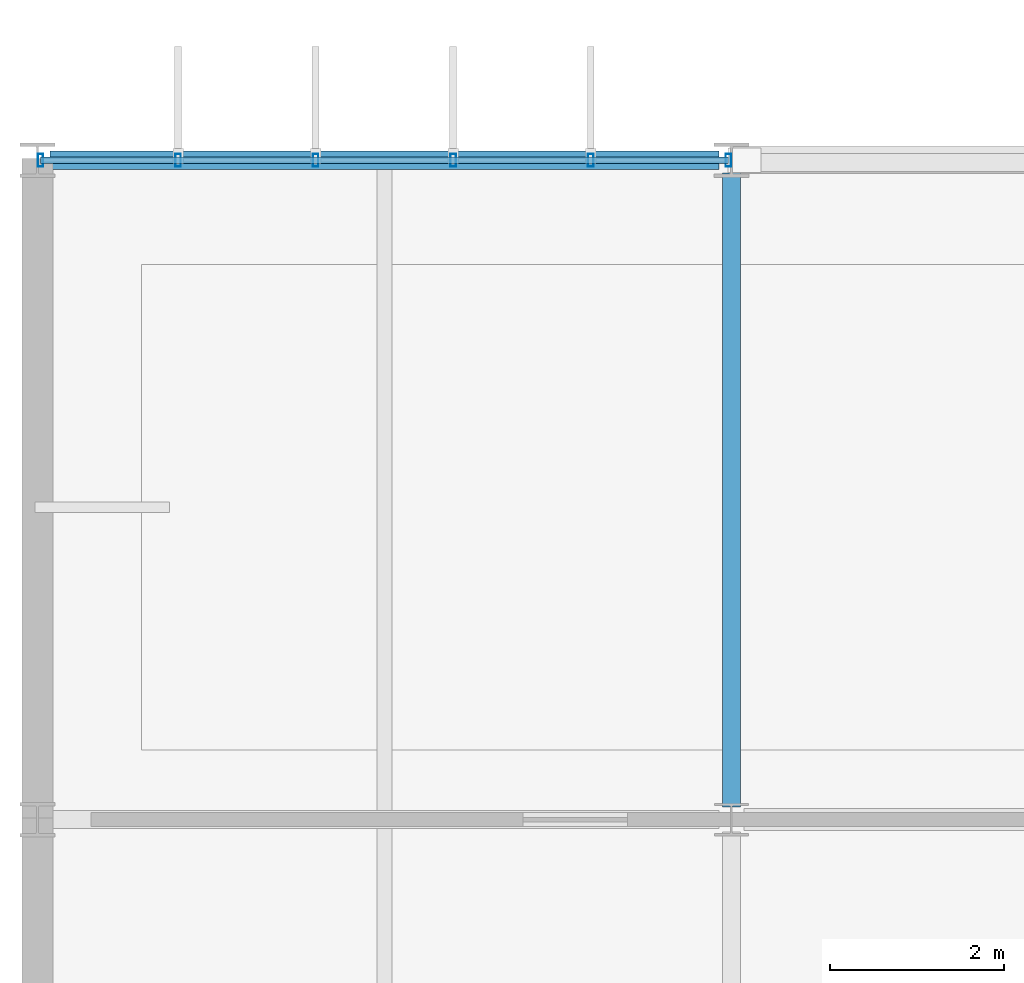
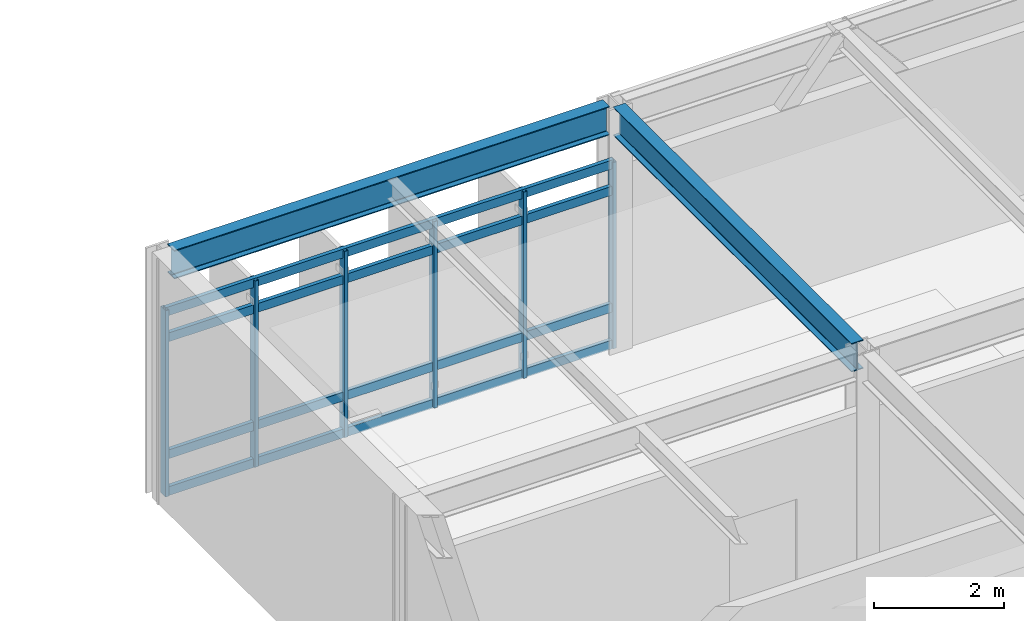
# One storey, part 25 of 104: 10 members, 2 beams, 1 element without a shape of its own.
"""IFC4 building model written with IfcOpenShell, lengths in metres."""

import ifcopenshell
import ifcopenshell.guid

model = None  # the IFC model being written
_history = None  # IfcOwnerHistory: only IFC2X3 demands one
_inside = {}  # id of a spatial element -> (the spatial element, [elements in it])
_under = {}  # id of a project, library or spatial element -> (it, [spatial elements below it])
_declared = {}  # id of a project -> (the project, [libraries it declares])
_typed = {}  # id of a type object -> (the type object, [elements of that type])
_made_of = {}  # id of a material, layer set ... -> (it, [elements and type objects made of it])


def new_model(schema):
    """Start an empty IFC model of exactly this schema.

    Asked for "IFC4X3", IfcOpenShell would pick the latest addendum, in which some entities
    have other attributes; the version numbers below select the first issue.
    IFC2X3 requires an IfcOwnerHistory on every rooted entity: one is made here for all.
    """
    global model, _history
    if schema == "IFC4X3":
        model = ifcopenshell.file(schema_version=(4, 3, 0, 0))
    else:
        model = ifcopenshell.file(schema=schema)
    _inside.clear()
    _under.clear()
    _declared.clear()
    _typed.clear()
    _made_of.clear()
    _history = None
    if model.schema == "IFC2X3":
        org = make("IfcOrganization", Name="unknown")
        user = make(
            "IfcPersonAndOrganization",
            ThePerson=make("IfcPerson", FamilyName="unknown"),
            TheOrganization=org,
        )
        app = make(
            "IfcApplication",
            ApplicationDeveloper=org,
            Version="unknown",
            ApplicationFullName="unknown",
            ApplicationIdentifier="unknown",
        )
        _history = make(
            "IfcOwnerHistory",
            OwningUser=user,
            OwningApplication=app,
            ChangeAction="ADDED",
            CreationDate=0,
        )
    return model


def make(cls, **values):
    """One entity of the class cls with the attributes given. An attribute that is None is left unset."""
    return model.create_entity(
        cls, **{name: value for name, value in values.items() if value is not None}
    )


def rooted(cls, **values):
    """An entity with a GlobalId (a new one), such as an element, a storey or a relation."""
    return make(cls, GlobalId=ifcopenshell.guid.new(), OwnerHistory=_history, **values)


def si_unit(unit_type, name, prefix=None):
    """IfcSIUnit, for example si_unit("LENGTHUNIT", "METRE", prefix="MILLI")."""
    return make("IfcSIUnit", UnitType=unit_type, Prefix=prefix, Name=name)


def assignment(units):
    """IfcUnitAssignment: the units of a project."""
    return None if units is None else make("IfcUnitAssignment", Units=units)


def point(xyz):
    """IfcCartesianPoint."""
    return None if xyz is None else make("IfcCartesianPoint", Coordinates=xyz)


def direction(xyz):
    """IfcDirection."""
    return None if xyz is None else make("IfcDirection", DirectionRatios=xyz)


def frame(location, z_axis=None, x_axis=None):
    """IfcAxis2Placement3D, a coordinate frame: its origin and axes. An axis left out is left unset."""
    return make(
        "IfcAxis2Placement3D",
        Location=point(location),
        Axis=direction(z_axis),
        RefDirection=direction(x_axis),
    )


def frame_2d(location, x_axis=None):
    """IfcAxis2Placement2D, a coordinate frame in the plane: its origin and x axis."""
    return make(
        "IfcAxis2Placement2D", Location=point(location), RefDirection=direction(x_axis)
    )


def origin():
    """The frame at (0, 0, 0) with its axes left unset."""
    return frame((0.0, 0.0, 0.0))


def origin_2d():
    """The frame at (0, 0) in the plane with its x axis left unset."""
    return frame_2d((0.0, 0.0))


def place(relative_to, where):
    """IfcLocalPlacement: puts the frame where relative to a parent placement (None: the world)."""
    return make(
        "IfcLocalPlacement", PlacementRelTo=relative_to, RelativePlacement=where
    )


def context(
    kind, dimensions, precision=None, world=None, true_north=None, identifier=None
):
    """IfcGeometricRepresentationContext, for example the 3D "Model" context."""
    return make(
        "IfcGeometricRepresentationContext",
        ContextIdentifier=identifier,
        ContextType=kind,
        CoordinateSpaceDimension=dimensions,
        Precision=precision,
        WorldCoordinateSystem=world,
        TrueNorth=true_north,
    )


def subcontext(parent, identifier, kind, view, scale=None):
    """IfcGeometricRepresentationSubContext, for example "Body" below "Model"."""
    return make(
        "IfcGeometricRepresentationSubContext",
        ContextIdentifier=identifier,
        ContextType=kind,
        ParentContext=parent,
        TargetScale=scale,
        TargetView=view,
    )


def project(units=None, contexts=None):
    """IfcProject with its units and contexts."""
    return rooted(
        "IfcProject",
        Name="project",
        RepresentationContexts=contexts,
        UnitsInContext=assignment(units),
    )


def spatial(cls, under=None, at=None, **own):
    """A site, building, storey or space (cls), placed at a placement, below another one or the project."""
    s = rooted(cls, ObjectPlacement=at, **own)
    if under is not None:
        _under.setdefault(under.id(), (under, []))[1].append(s)
    return s


def profile(cls, at=None, kind="AREA", **sizes):
    """A parametric profile (cls). Its sizes go by their IFC names, for example OverallWidth=200.0."""
    return make(cls, ProfileType=kind, Position=at, **sizes)


def hollow_rectangle(**sizes):
    """IfcRectangleHollowProfileDef."""
    return profile("IfcRectangleHollowProfileDef", **sizes)


def i_section(**sizes):
    """IfcIShapeProfileDef."""
    return profile("IfcIShapeProfileDef", **sizes)


def extrude(swept, where, along, depth):
    """IfcExtrudedAreaSolid: the profile swept, set in the frame where, extruded along a direction by depth."""
    return make(
        "IfcExtrudedAreaSolid",
        SweptArea=swept,
        Position=where,
        ExtrudedDirection=direction(along),
        Depth=depth,
    )


def shape(context_of_items, identifier, shape_type, items):
    """IfcShapeRepresentation: the items that make up one representation, for example the "Body"."""
    return make(
        "IfcShapeRepresentation",
        ContextOfItems=context_of_items,
        RepresentationIdentifier=identifier,
        RepresentationType=shape_type,
        Items=items,
    )


def material(Name=None, Category=None):
    """IfcMaterial."""
    return make("IfcMaterial", Name=Name, Category=Category)


def material_profile(
    of_material, cross_section, Name=None, Category=None, Priority=None
):
    """IfcMaterialProfile: a cross section and its material."""
    return make(
        "IfcMaterialProfile",
        Name=Name,
        Material=of_material,
        Profile=cross_section,
        Priority=Priority,
        Category=Category,
    )


def profile_set(profiles, Name=None, composite=None):
    """IfcMaterialProfileSet."""
    return make(
        "IfcMaterialProfileSet",
        Name=Name,
        MaterialProfiles=profiles,
        CompositeProfile=composite,
    )


def made_of(thing, what):
    """Note that an element or type object is made of a material, layer set ...; save() writes the relation."""
    if what is not None:
        _made_of.setdefault(what.id(), (what, []))[1].append(thing)
    return thing


def type_object(cls, material=None, **own):
    """A type object (cls), such as IfcWallType, which elements share."""
    return made_of(rooted(cls, **own), material)


def element(
    cls,
    number,
    at=None,
    inside=None,
    cuts=None,
    type_object=None,
    material=None,
    context=None,
    identifier="Body",
    shape_type=None,
    held_by="IfcProductDefinitionShape",
    body=None,
    shapes=None,
    **own,
):
    """One element of the class cls, such as IfcWall. Its Tag is "e" and its number.

    at: its placement. inside: the storey or other place that contains it. cuts: it is an
    opening in that element (IfcRelVoidsElement). A single representation is given by context,
    identifier, shape_type and body (its items); several are given by shapes. held_by: the class
    of the entity that holds the representations. save() writes the other relations.
    """
    e = rooted(cls, Tag="e%d" % number, ObjectPlacement=at, **own)
    if body is not None:
        shapes = [shape(context, identifier, shape_type, body)]
    if shapes is not None:
        e.Representation = make(held_by, Representations=shapes)
    if inside is not None:
        _inside.setdefault(inside.id(), (inside, []))[1].append(e)
    if cuts is not None:
        rooted(
            "IfcRelVoidsElement", RelatingBuildingElement=cuts, RelatedOpeningElement=e
        )
    if type_object is not None:
        _typed.setdefault(type_object.id(), (type_object, []))[1].append(e)
    return made_of(e, material)


def aggregate(whole, parts):
    """IfcRelAggregates: a whole, such as a stair, and the parts it consists of."""
    return rooted("IfcRelAggregates", RelatingObject=whole, RelatedObjects=parts)


def save(model, path):
    """Write the relations noted so far, then the file.

    IfcRelAggregates (storeys below a building ...), IfcRelContainedInSpatialStructure (elements
    in a storey), IfcRelDefinesByType, IfcRelAssociatesMaterial and IfcRelDeclares: one each for
    every whole, place, type object, material and project.
    """
    for whole, parts in _under.values():
        aggregate(whole, parts)
    for where, things in _inside.values():
        rooted(
            "IfcRelContainedInSpatialStructure",
            RelatedElements=things,
            RelatingStructure=where,
        )
    for kind, things in _typed.values():
        rooted("IfcRelDefinesByType", RelatedObjects=things, RelatingType=kind)
    for what, things in _made_of.values():
        rooted("IfcRelAssociatesMaterial", RelatedObjects=things, RelatingMaterial=what)
    for by, libraries in _declared.values():
        rooted("IfcRelDeclares", RelatingContext=by, RelatedDefinitions=libraries)
    model.write(path)


model = new_model("IFC4")

# Units and contexts
model_context = context("Model", 3, precision=1e-05, world=origin(), true_north=direction((0.0, 1.0)))
body_context = subcontext(model_context, "Body", "Model", "MODEL_VIEW")
ifc_project = project(units=[si_unit("LENGTHUNIT", "METRE"), si_unit("AREAUNIT", "SQUARE_METRE"), si_unit("VOLUMEUNIT", "CUBIC_METRE"), si_unit("PLANEANGLEUNIT", "RADIAN"), si_unit("MASSUNIT", "GRAM", prefix="KILO")], contexts=[model_context])

# Site, building, storey
site_placement = place(None, origin())
site = spatial("IfcSite", under=ifc_project, at=site_placement, CompositionType="ELEMENT")
building_placement = place(site_placement, origin())
building = spatial("IfcBuilding", under=site, at=building_placement, Name="Zulena Civic Courthouse", CompositionType="ELEMENT")
storey_placement = place(building_placement, frame((0.0, 0.0, 15.60009765625)))
storey = spatial("IfcBuildingStorey", under=building, at=storey_placement, Name="L03", CompositionType="ELEMENT", Elevation=15.60009765625)

# Curtain wall, members
ifc_material_1 = material(Name="Double-silver low-E laminated solar-control glass", Category="glass")
curtain_wall_type = type_object("IfcCurtainWallType", Name="CW_7928x3490", PredefinedType="USERDEFINED", material=ifc_material_1)
curtain_wall_placement = place(storey_placement, origin())
curtain_wall = element("IfcCurtainWall", 1, at=curtain_wall_placement, inside=storey, type_object=curtain_wall_type, Name="cw:V2:L03:1:0", ObjectType="UNITISED CURTAIN WALL", PredefinedType="USERDEFINED")
ifc_material_2 = material(Name="Bronze anodised thermally broken aluminium AA6063-T6", Category="aluminium")
ifc_material_profile_1 = material_profile(ifc_material_2, hollow_rectangle(XDim=0.06494140625, YDim=0.14990234375, WallThickness=0.00390625, at=origin_2d()), Name="CWM150X65X4")
ifc_profile_set_1 = profile_set([ifc_material_profile_1], Name="Bronze anodised thermally broken aluminium AA6063-T6")
member_type_1 = type_object("IfcMemberType", Name="CWMullion_150x65", PredefinedType="MULLION", material=ifc_profile_set_1)
member_1_placement = place(storey_placement, frame((4.035888671875, 22.800048828125, 0.0), z_axis=(0.0, 0.0, 1.0), x_axis=(1.0, 0.0, 0.0)))
member_1 = element("IfcMember", 2, at=member_1_placement, type_object=member_type_1, Name="cw:V2:L03:1:0:mull:0", PredefinedType="MULLION", context=body_context, shape_type="SweptSolid", body=[
    extrude(hollow_rectangle(XDim=0.06494140625, YDim=0.14990234375, WallThickness=0.00390625, at=origin_2d()), origin(), (0.0, 0.0, 1.0), 3.489990234375),
])
member_2_placement = place(storey_placement, frame((5.62158203125, 22.800048828125, 0.0), z_axis=(0.0, 0.0, 1.0), x_axis=(1.0, 0.0, 0.0)))
member_2 = element("IfcMember", 3, at=member_2_placement, type_object=member_type_1, Name="cw:V2:L03:1:0:mull:1", PredefinedType="MULLION", context=body_context, shape_type="SweptSolid", body=[
    extrude(hollow_rectangle(XDim=0.06494140625, YDim=0.14990234375, WallThickness=0.00390625, at=origin_2d()), origin(), (0.0, 0.0, 1.0), 3.489990234375),
])
member_3_placement = place(storey_placement, frame((7.207275390625, 22.800048828125, 0.0), z_axis=(0.0, 0.0, 1.0), x_axis=(1.0, 0.0, 0.0)))
member_3 = element("IfcMember", 4, at=member_3_placement, type_object=member_type_1, Name="cw:V2:L03:1:0:mull:2", PredefinedType="MULLION", context=body_context, shape_type="SweptSolid", body=[
    extrude(hollow_rectangle(XDim=0.06494140625, YDim=0.14990234375, WallThickness=0.00390625, at=origin_2d()), origin(), (0.0, 0.0, 1.0), 3.489990234375),
])
member_4_placement = place(storey_placement, frame((8.792724609375, 22.800048828125, 0.0), z_axis=(0.0, 0.0, 1.0), x_axis=(1.0, 0.0, 0.0)))
member_4 = element("IfcMember", 5, at=member_4_placement, type_object=member_type_1, Name="cw:V2:L03:1:0:mull:3", PredefinedType="MULLION", context=body_context, shape_type="SweptSolid", body=[
    extrude(hollow_rectangle(XDim=0.06494140625, YDim=0.14990234375, WallThickness=0.00390625, at=origin_2d()), origin(), (0.0, 0.0, 1.0), 3.489990234375),
])
member_5_placement = place(storey_placement, frame((10.37841796875, 22.800048828125, 0.0), z_axis=(0.0, 0.0, 1.0), x_axis=(1.0, 0.0, 0.0)))
member_5 = element("IfcMember", 6, at=member_5_placement, type_object=member_type_1, Name="cw:V2:L03:1:0:mull:4", PredefinedType="MULLION", context=body_context, shape_type="SweptSolid", body=[
    extrude(hollow_rectangle(XDim=0.06494140625, YDim=0.14990234375, WallThickness=0.00390625, at=origin_2d()), origin(), (0.0, 0.0, 1.0), 3.489990234375),
])
member_6_placement = place(storey_placement, frame((11.964111328125, 22.800048828125, 0.0), z_axis=(0.0, 0.0, 1.0), x_axis=(1.0, 0.0, 0.0)))
member_6 = element("IfcMember", 7, at=member_6_placement, type_object=member_type_1, Name="cw:V2:L03:1:0:mull:5", PredefinedType="MULLION", context=body_context, shape_type="SweptSolid", body=[
    extrude(hollow_rectangle(XDim=0.06494140625, YDim=0.14990234375, WallThickness=0.00390625, at=origin_2d()), origin(), (0.0, 0.0, 1.0), 3.489990234375),
])
ifc_material_profile_2 = material_profile(ifc_material_2, hollow_rectangle(XDim=0.070068359375, YDim=0.1650390625, WallThickness=0.00390625, at=origin_2d()), Name="CWT165X70X4")
ifc_profile_set_2 = profile_set([ifc_material_profile_2], Name="Bronze anodised thermally broken aluminium AA6063-T6")
member_type_2 = type_object("IfcMemberType", Name="CWTransom_165x70", PredefinedType="USERDEFINED", material=ifc_profile_set_2)
member_7_placement = place(storey_placement, frame((4.035888671875, 22.800048828125, 0.059814453125), z_axis=(1.0, 0.0, 0.0), x_axis=(0.0, 1.0, 0.0)))
member_7 = element("IfcMember", 8, at=member_7_placement, type_object=member_type_2, Name="cw:V2:L03:1:0:tran:0", ObjectType="TRANSOM", PredefinedType="USERDEFINED", context=body_context, shape_type="SweptSolid", body=[
    extrude(hollow_rectangle(XDim=0.070068359375, YDim=0.1650390625, WallThickness=0.00390625, at=origin_2d()), origin(), (0.0, 0.0, 1.0), 7.92822265625),
])
member_8_placement = place(storey_placement, frame((4.035888671875, 22.800048828125, 0.75), z_axis=(1.0, 0.0, 0.0), x_axis=(0.0, 1.0, 0.0)))
member_8 = element("IfcMember", 9, at=member_8_placement, type_object=member_type_2, Name="cw:V2:L03:1:0:tran:1", ObjectType="TRANSOM", PredefinedType="USERDEFINED", context=body_context, shape_type="SweptSolid", body=[
    extrude(hollow_rectangle(XDim=0.070068359375, YDim=0.1650390625, WallThickness=0.00390625, at=origin_2d()), origin(), (0.0, 0.0, 1.0), 7.92822265625),
])
member_9_placement = place(storey_placement, frame((4.035888671875, 22.800048828125, 2.93994140625), z_axis=(1.0, 0.0, 0.0), x_axis=(0.0, 1.0, 0.0)))
member_9 = element("IfcMember", 10, at=member_9_placement, type_object=member_type_2, Name="cw:V2:L03:1:0:tran:2", ObjectType="TRANSOM", PredefinedType="USERDEFINED", context=body_context, shape_type="SweptSolid", body=[
    extrude(hollow_rectangle(XDim=0.070068359375, YDim=0.1650390625, WallThickness=0.00390625, at=origin_2d()), origin(), (0.0, 0.0, 1.0), 7.92822265625),
])
member_10_placement = place(storey_placement, frame((4.035888671875, 22.800048828125, 3.429931640625), z_axis=(1.0, 0.0, 0.0), x_axis=(0.0, 1.0, 0.0)))
member_10 = element("IfcMember", 11, at=member_10_placement, type_object=member_type_2, Name="cw:V2:L03:1:0:tran:3", ObjectType="TRANSOM", PredefinedType="USERDEFINED", context=body_context, shape_type="SweptSolid", body=[
    extrude(hollow_rectangle(XDim=0.070068359375, YDim=0.1650390625, WallThickness=0.00390625, at=origin_2d()), origin(), (0.0, 0.0, 1.0), 7.92822265625),
])
aggregate(curtain_wall, [member_1, member_2, member_3, member_4, member_5, member_6, member_7, member_8, member_9, member_10])

# Beams
ifc_material_3 = material(Name="Steel ASTM A992 Grade 50", Category="steel")
ifc_material_profile_3 = material_profile(ifc_material_3, i_section(OverallWidth=0.2099609375, OverallDepth=0.537109375, WebThickness=0.010986328125, FlangeThickness=0.017333984375, FilletRadius=0.0126953125, at=origin_2d()), Name="W21X68")
ifc_profile_set_3 = profile_set([ifc_material_profile_3], Name="Steel ASTM A992 Grade 50")
beam_type = type_object("IfcBeamType", Name="Spandrel_W21X68", PredefinedType="SPANDREL", material=ifc_profile_set_3)
beam_1_placement = place(storey_placement, frame((4.14501953125, 22.800048828125, 4.3212890625), z_axis=(1.0, 0.0, 0.0), x_axis=(0.0, 1.0, 0.0)))
element("IfcBeam", 12, at=beam_1_placement, inside=storey, type_object=beam_type, Name="beam:X:V2:L03:22.8:4.0_12.0", PredefinedType="SPANDREL", context=body_context, shape_type="SweptSolid", body=[
    extrude(i_section(OverallWidth=0.2099609375, OverallDepth=0.537109375, WebThickness=0.010986328125, FlangeThickness=0.017333984375, FilletRadius=0.0126953125, at=origin_2d()), origin(), (0.0, 0.0, 1.0), 7.7099609375),
])
beam_2_placement = place(storey_placement, frame((12.0, 15.344970703125, 4.3212890625), z_axis=(0.0, 1.0, 0.0), x_axis=(-1.0, 0.0, 0.0)))
element("IfcBeam", 13, at=beam_2_placement, inside=storey, type_object=beam_type, Name="beam:Y:V2:L03:12.0:15.2_22.8", PredefinedType="SPANDREL", context=body_context, shape_type="SweptSolid", body=[
    extrude(i_section(OverallWidth=0.2099609375, OverallDepth=0.537109375, WebThickness=0.010986328125, FlangeThickness=0.017333984375, FilletRadius=0.0126953125, at=origin_2d()), origin(), (0.0, 0.0, 1.0), 7.31005859375),
])

save(model, "model.ifc")
